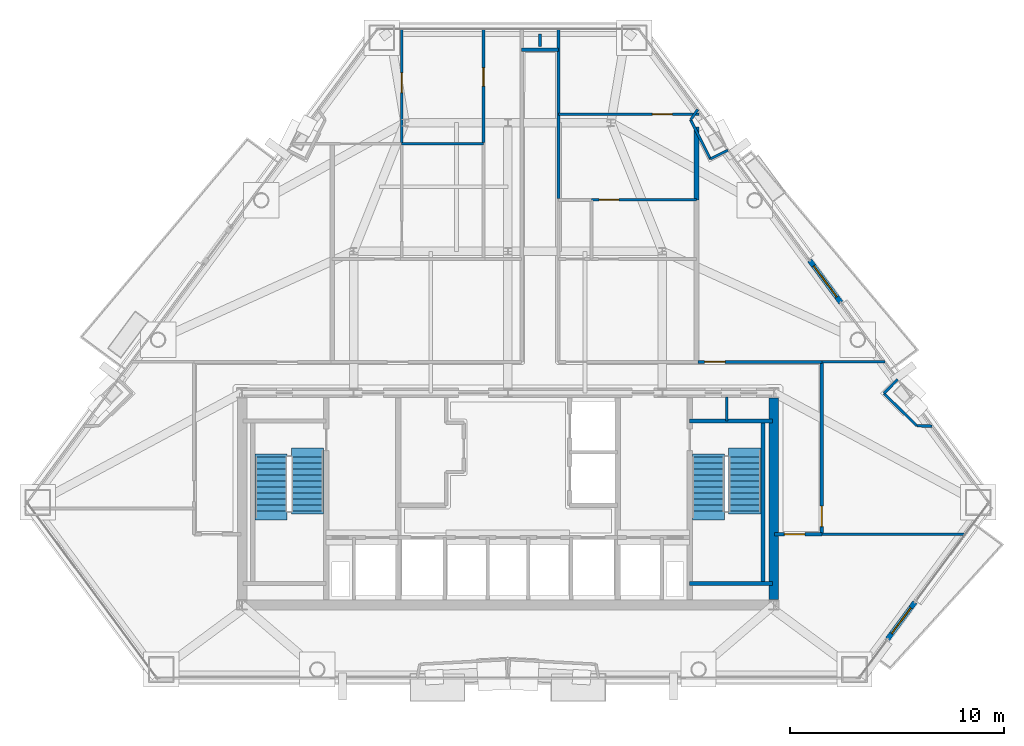
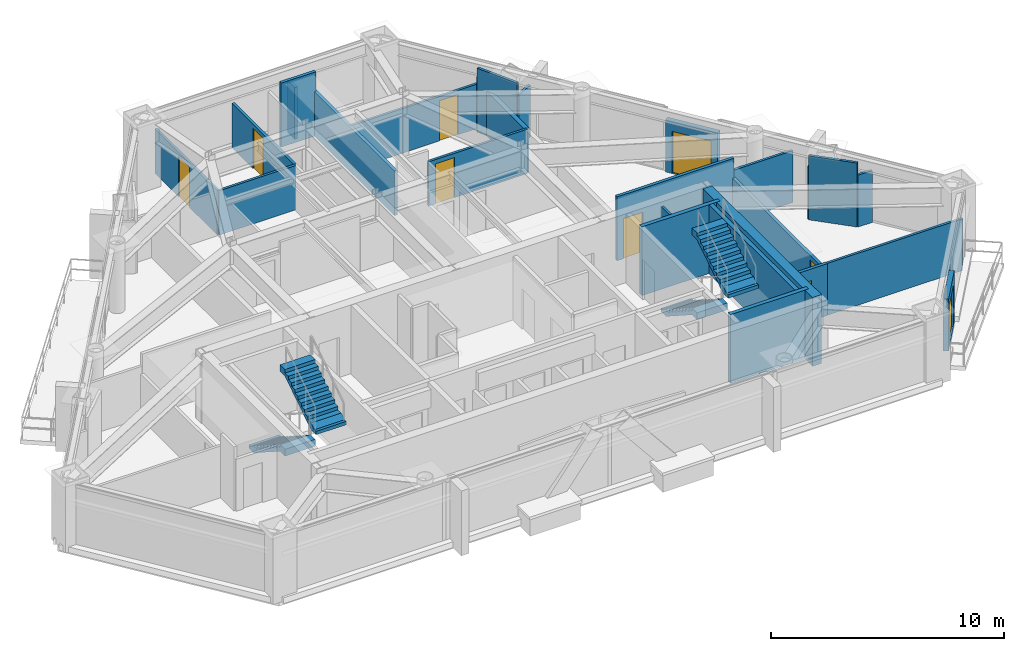
# One storey, part 9 of 11: 27 walls, 9 doors, 4 stair flights, 9 openings, 2 elements without a shape of their own.
"""IFC4 building model written with IfcOpenShell, lengths in metres."""

from ifc_helpers import new_model, si_unit, direction, frame, frame_2d, origin, place, context, subcontext, project, spatial, polyline, rectangle, outline, extrude, material, layer, layer_set, type_object, element, fill, aggregate, save


model = new_model("IFC4")

# Units and contexts
model_context = context("Model", 3, precision=1e-05, world=origin(), true_north=direction((0.0, 1.0)))
body_context = subcontext(model_context, "Body", "Model", "MODEL_VIEW")
ifc_project = project(units=[si_unit("LENGTHUNIT", "METRE"), si_unit("AREAUNIT", "SQUARE_METRE"), si_unit("VOLUMEUNIT", "CUBIC_METRE"), si_unit("PLANEANGLEUNIT", "RADIAN"), si_unit("MASSUNIT", "GRAM", prefix="KILO")], contexts=[model_context])

# Site, building, storey
site_placement = place(None, origin())
site = spatial("IfcSite", under=ifc_project, at=site_placement, CompositionType="ELEMENT")
building_placement = place(site_placement, origin())
building = spatial("IfcBuilding", under=site, at=building_placement, Name="Talgorran Terracotta Tower", CompositionType="ELEMENT")
storey_placement = place(building_placement, frame((0.0, 0.0, 110.39990234375)))
storey = spatial("IfcBuildingStorey", under=building, at=storey_placement, Name="L28", CompositionType="ELEMENT", Elevation=110.39990234375)

# Wall, opening, door
ifc_material_1 = material(Name="Concrete C40/50", Category="concrete")
ifc_layer_1 = layer(ifc_material_1, 0.239990234375, Name="WT_BALCONY_SPAND")
ifc_layer_set_1 = layer_set([ifc_layer_1], Name="Concrete C40/50")
wall_type_1 = type_object("IfcWallType", Name="WT_BALCONY_SPAND", PredefinedType="STANDARD", material=ifc_layer_set_1)
wall_1_placement = place(storey_placement, frame((15.52978515625, 0.010009765625, -0.014892578125), z_axis=(0.0, 0.0, 1.0), x_axis=(-0.594897308784, 0.803801711868, 0.0)))
wall_1 = element("IfcWall", 1, at=wall_1_placement, inside=storey, type_object=wall_type_1, Name="WL-L28-BALP-BAL-NE", PredefinedType="STANDARD", context=body_context, shape_type="SweptSolid", body=[
    extrude(rectangle(XDim=2.440185546875, YDim=0.239990234375, at=frame_2d((1.22021484375, 0.0))), origin(), (0.0, 0.0, 1.0), 2.728271484375),
])
opening_1_placement = place(wall_1_placement, frame((0.320068359375, 0.0, 0.014892578125)))
opening_1 = element("IfcOpeningElement", 2, at=opening_1_placement, cuts=wall_1, Name="Opening D-BAL-L28-1", PredefinedType="OPENING", context=body_context, shape_type="SweptSolid", body=[
    extrude(rectangle(XDim=1.806048828125, YDim=2.203951171875, at=frame_2d((0.89990234375, 1.10205078125))), frame((0.0, 0.1298828125, 0.0), z_axis=(0.0, -1.0, 0.0), x_axis=(1.0, 0.0, 0.0)), (0.0, 0.0, 1.0), 0.260009765625),
])
ifc_material_2 = material(Name="Thermally Broken Aluminium", Category="aluminium")
door_type_1 = type_object("IfcDoorType", Name="DT_BALC_1800", OperationType="SLIDING_TO_LEFT", PredefinedType="DOOR", material=ifc_material_2)
door_1_placement = place(opening_1_placement, origin())
door_1 = element("IfcDoor", 3, at=door_1_placement, inside=storey, type_object=door_type_1, Name="DR-L28-BAL-BAL-NE", OperationType="SLIDING_TO_LEFT", OverallHeight=2.199951171875, OverallWidth=1.800048828125, PredefinedType="DOOR", context=body_context, shape_type="SweptSolid", body=[
    extrude(rectangle(XDim=1.800048828125, YDim=2.199951171875, at=frame_2d((0.89990234375, 1.10009765625))), frame((0.0, 0.02490234375, 0.0), z_axis=(0.0, -1.0, 0.0), x_axis=(1.0, 0.0, 0.0)), (0.0, 0.0, 1.0), 0.050048828125),
])
fill(opening_1, door_1)

wall_2_placement = place(storey_placement, frame((17.712890625, -15.69140625, -0.014892578125), z_axis=(0.0, 0.0, 1.0), x_axis=(0.59491376708, 0.803789530747, 0.0)))
wall_2 = element("IfcWall", 4, at=wall_2_placement, inside=storey, type_object=wall_type_1, Name="WL-L28-BALP-BAL-SE", PredefinedType="STANDARD", context=body_context, shape_type="SweptSolid", body=[
    extrude(rectangle(XDim=2.14013671875, YDim=0.239990234375, at=frame_2d((1.070068359375, 0.0))), origin(), (0.0, 0.0, 1.0), 2.728271484375),
])
opening_2_placement = place(wall_2_placement, frame((0.320068359375, 0.0, 0.014892578125)))
opening_2 = element("IfcOpeningElement", 5, at=opening_2_placement, cuts=wall_2, Name="Opening D-BAL-L28-3", PredefinedType="OPENING", context=body_context, shape_type="SweptSolid", body=[
    extrude(rectangle(XDim=1.506, YDim=2.203951171875, at=frame_2d((0.75, 1.10205078125))), frame((0.0, 0.1298828125, 0.0), z_axis=(0.0, -1.0, 0.0), x_axis=(1.0, 0.0, 0.0)), (0.0, 0.0, 1.0), 0.260009765625),
])
door_type_2 = type_object("IfcDoorType", Name="DT_BALC_1500", OperationType="SLIDING_TO_RIGHT", PredefinedType="DOOR", material=ifc_material_2)
door_2_placement = place(opening_2_placement, origin())
door_2 = element("IfcDoor", 6, at=door_2_placement, inside=storey, type_object=door_type_2, Name="DR-L28-BAL-BAL-SE", OperationType="SLIDING_TO_RIGHT", OverallHeight=2.199951171875, OverallWidth=1.5, PredefinedType="DOOR", context=body_context, shape_type="SweptSolid", body=[
    extrude(rectangle(XDim=1.5, YDim=2.199951171875, at=frame_2d((0.75, 1.10009765625))), frame((0.0, 0.02490234375, 0.0), z_axis=(0.0, -1.0, 0.0), x_axis=(1.0, 0.0, 0.0)), (0.0, 0.0, 1.0), 0.050048828125),
])
fill(opening_2, door_2)

# Walls
ifc_material_3 = material(Name="Concrete C50/60", Category="concrete")
ifc_layer_2 = layer(ifc_material_3, 0.199951171875, Name="WT_CORE_200")
ifc_layer_set_2 = layer_set([ifc_layer_2], Name="Concrete C50/60")
wall_type_2 = type_object("IfcWallType", Name="WT_CORE_200", PredefinedType="SOLIDWALL", material=ifc_layer_set_2)
for number, where, z_axis, x_axis, name in (
    (7, (8.47998046875, -5.52001953125, 0.0), (0.0, 0.0, 1.0), (1.0, 0.0, 0.0), "WL-L28-CW-ST2-N"),
    (8, (8.47998046875, -13.10009765625, 0.0), (0.0, 0.0, 1.0), (1.0, 0.0, 0.0), "WL-L28-CW-ST2-S"),
):
    element("IfcWall", number, at=place(storey_placement, frame(where, z_axis=z_axis, x_axis=x_axis)), inside=storey, type_object=wall_type_2, Name=name, PredefinedType="SOLIDWALL", context=body_context, shape_type="SweptSolid", body=[
        extrude(rectangle(XDim=3.8701171875, YDim=0.199951171875, at=frame_2d((1.93505859375, 0.0))), origin(), (0.0, 0.0, 1.0), 3.60009765625),
    ])
wall_3_placement = place(storey_placement, frame((11.89990234375, -13.10009765625, 0.0), z_axis=(0.0, 0.0, 1.0), x_axis=(0.0, 1.0, 0.0)))
element("IfcWall", 9, at=wall_3_placement, inside=storey, type_object=wall_type_2, Name="WL-L28-CW-ST2-E", PredefinedType="SOLIDWALL", context=body_context, shape_type="SweptSolid", body=[
    extrude(rectangle(XDim=7.580078125, YDim=0.199951171875, at=frame_2d((3.7900390625, 0.0))), origin(), (0.0, 0.0, 1.0), 3.60009765625),
])
ifc_material_4 = material(Name="Concrete C65/80", Category="concrete")
ifc_layer_3 = layer(ifc_material_4, 0.449951171875, Name="WT_CORE_EXT")
ifc_layer_set_3 = layer_set([ifc_layer_3], Name="Concrete C65/80")
wall_type_3 = type_object("IfcWallType", Name="WT_CORE_EXT", PredefinedType="SHEAR", material=ifc_layer_set_3)
wall_4_placement = place(storey_placement, frame((12.39990234375, -13.85009765625, 0.0), z_axis=(0.0, 0.0, 1.0), x_axis=(0.0, 1.0, 0.0)))
element("IfcWall", 10, at=wall_4_placement, inside=storey, type_object=wall_type_3, Name="WL-L28-CW-OUT-E", PredefinedType="SHEAR", context=body_context, shape_type="SweptSolid", body=[
    extrude(rectangle(XDim=9.400146484375, YDim=0.449951171875, at=frame_2d((4.7001953125, 0.0))), origin(), (0.0, 0.0, 1.0), 3.60009765625),
])

# Wall, opening, door
ifc_material_5 = material(Name="Fire-Rated Steel Stud Plasterboard", Category="steel")
ifc_layer_4 = layer(ifc_material_5, 0.14990234375, Name="WT_FIRE_150")
ifc_layer_set_4 = layer_set([ifc_layer_4], Name="Fire-Rated Steel Stud Plasterboard")
wall_type_4 = type_object("IfcWallType", Name="WT_FIRE_150", PredefinedType="PARTITIONING", material=ifc_layer_set_4)
wall_5_placement = place(storey_placement, frame((14.639892578125, -10.800048828125, 0.0), z_axis=(0.0, 0.0, 1.0), x_axis=(0.0, 1.0, 0.0)))
wall_5 = element("IfcWall", 11, at=wall_5_placement, inside=storey, type_object=wall_type_4, Name="WL-L28-W-L28-R04", PredefinedType="PARTITIONING", context=body_context, shape_type="SweptSolid", body=[
    extrude(rectangle(XDim=8.0400390625, YDim=0.14990234375, at=frame_2d((4.02001953125, 0.0))), origin(), (0.0, 0.0, 1.0), 2.3251953125),
])
opening_3_placement = place(wall_5_placement, frame((0.35888671875, 0.0, 0.0)))
opening_3 = element("IfcOpeningElement", 12, at=opening_3_placement, cuts=wall_5, Name="Opening DR-L28-R03", PredefinedType="OPENING", context=body_context, shape_type="SweptSolid", body=[
    extrude(rectangle(XDim=0.955951171875, YDim=2.10409765625, at=frame_2d((0.47509765625, 1.052001953125))), frame((0.0, 0.0849609375, 0.0), z_axis=(0.0, -1.0, 0.0), x_axis=(1.0, 0.0, 0.0)), (0.0, 0.0, 1.0), 0.169921875),
])
ifc_material_6 = material(Name="Fire-Rated Timber Core", Category="wood")
door_type_3 = type_object("IfcDoorType", Name="DT_FIRE_950", OperationType="NOTDEFINED", PredefinedType="DOOR", material=ifc_material_6)
door_3_placement = place(opening_3_placement, origin())
door_3 = element("IfcDoor", 13, at=door_3_placement, inside=storey, type_object=door_type_3, Name="DR-L28-R03", OperationType="SINGLE_SWING_LEFT", OverallHeight=2.10009765625, OverallWidth=0.949951171875, PredefinedType="DOOR", context=body_context, shape_type="SweptSolid", body=[
    extrude(rectangle(XDim=0.949951171875, YDim=2.10009765625, at=frame_2d((0.47509765625, 1.050048828125))), frame((0.0, 0.02490234375, 0.0), z_axis=(0.0, -1.0, 0.0), x_axis=(1.0, 0.0, 0.0)), (0.0, 0.0, 1.0), 0.050048828125),
])
fill(opening_3, door_3)

wall_6_placement = place(storey_placement, frame((8.862060546875, -2.760009765625, 0.0), z_axis=(0.0, 0.0, 1.0), x_axis=(1.0, 0.0, 0.0)))
wall_6 = element("IfcWall", 14, at=wall_6_placement, inside=storey, type_object=wall_type_4, Name="WL-L28-W-L28-R17", PredefinedType="PARTITIONING", context=body_context, shape_type="SweptSolid", body=[
    extrude(rectangle(XDim=5.77783203125, YDim=0.14990234375, at=frame_2d((2.888916015625, 0.0))), origin(), (0.0, 0.0, 1.0), 3.35009765625),
])
opening_4_placement = place(wall_6_placement, frame((0.3173828125, 0.0, 0.0)))
opening_4 = element("IfcOpeningElement", 15, at=opening_4_placement, cuts=wall_6, Name="Opening DR-L28-R17", PredefinedType="OPENING", context=body_context, shape_type="SweptSolid", body=[
    extrude(rectangle(XDim=0.955951171875, YDim=2.10409765625, at=frame_2d((0.47509765625, 1.052001953125))), frame((0.0, 0.0849609375, 0.0), z_axis=(0.0, -1.0, 0.0), x_axis=(1.0, 0.0, 0.0)), (0.0, 0.0, 1.0), 0.169921875),
])
door_4_placement = place(opening_4_placement, origin())
door_4 = element("IfcDoor", 16, at=door_4_placement, inside=storey, type_object=door_type_3, Name="DR-L28-R17", OperationType="SINGLE_SWING_LEFT", OverallHeight=2.10009765625, OverallWidth=0.949951171875, PredefinedType="DOOR", context=body_context, shape_type="SweptSolid", body=[
    extrude(rectangle(XDim=0.949951171875, YDim=2.10009765625, at=frame_2d((0.47509765625, 1.050048828125))), frame((0.0, 0.02490234375, 0.0), z_axis=(0.0, -1.0, 0.0), x_axis=(1.0, 0.0, 0.0)), (0.0, 0.0, 1.0), 0.050048828125),
])
fill(opening_4, door_4)

# Wall
wall_7_placement = place(storey_placement, frame((2.360107421875, 4.862060546875, 0.0), z_axis=(0.0, 0.0, 1.0), x_axis=(0.0, 1.0, 0.0)))
element("IfcWall", 17, at=wall_7_placement, inside=storey, type_object=wall_type_4, Name="WL-L28-W-L28-R14", PredefinedType="PARTITIONING", context=body_context, shape_type="SweptSolid", body=[
    extrude(rectangle(XDim=7.900146484375, YDim=0.14990234375, at=frame_2d((3.9501953125, 0.0))), origin(), (0.0, 0.0, 1.0), 2.3251953125),
])

# Wall, opening, door
wall_8_placement = place(storey_placement, frame((12.43994140625, -10.800048828125, 0.0), z_axis=(0.0, 0.0, 1.0), x_axis=(1.0, 0.0, 0.0)))
wall_8 = element("IfcWall", 18, at=wall_8_placement, inside=storey, type_object=wall_type_4, Name="WL-L28-W-L28-R05", PredefinedType="PARTITIONING", context=body_context, shape_type="SweptSolid", body=[
    extrude(rectangle(XDim=2.199951171875, YDim=0.14990234375, at=frame_2d((1.10009765625, 0.0))), origin(), (0.0, 0.0, 1.0), 2.71337890625),
])
opening_5_placement = place(wall_8_placement, frame((0.458984375, 0.0, 0.0)))
opening_5 = element("IfcOpeningElement", 19, at=opening_5_placement, cuts=wall_8, Name="Opening DR-L28-R04", PredefinedType="OPENING", context=body_context, shape_type="SweptSolid", body=[
    extrude(rectangle(XDim=0.955951171875, YDim=2.10409765625, at=frame_2d((0.47509765625, 1.052001953125))), frame((0.0, 0.0849609375, 0.0), z_axis=(0.0, -1.0, 0.0), x_axis=(1.0, 0.0, 0.0)), (0.0, 0.0, 1.0), 0.169921875),
])
door_5_placement = place(opening_5_placement, origin())
door_5 = element("IfcDoor", 20, at=door_5_placement, inside=storey, type_object=door_type_3, Name="DR-L28-R04", OperationType="SINGLE_SWING_RIGHT", OverallHeight=2.10009765625, OverallWidth=0.949951171875, PredefinedType="DOOR", context=body_context, shape_type="SweptSolid", body=[
    extrude(rectangle(XDim=0.949951171875, YDim=2.10009765625, at=frame_2d((0.47509765625, 1.050048828125))), frame((0.0, 0.02490234375, 0.0), z_axis=(0.0, -1.0, 0.0), x_axis=(1.0, 0.0, 0.0)), (0.0, 0.0, 1.0), 0.050048828125),
])
fill(opening_5, door_5)

# Walls
wall_9_placement = place(storey_placement, frame((0.639892578125, 11.800048828125, 0.0), z_axis=(0.0, 0.0, 1.0), x_axis=(1.0, 0.0, 0.0)))
element("IfcWall", 21, at=wall_9_placement, inside=storey, type_object=wall_type_4, Name="WL-L28-W-L28-R10", PredefinedType="PARTITIONING", context=body_context, shape_type="SweptSolid", body=[
    extrude(rectangle(XDim=1.72021484375, YDim=0.14990234375, at=frame_2d((0.860107421875, 0.0))), origin(), (0.0, 0.0, 1.0), 3.35009765625),
])
ifc_material_7 = material(Name="Acoustic Masonry and Plasterboard", Category="masonry")
ifc_layer_5 = layer(ifc_material_7, 0.219970703125, Name="WT_PARTY_220")
ifc_layer_set_5 = layer_set([ifc_layer_5], Name="Acoustic Masonry and Plasterboard")
wall_type_5 = type_object("IfcWallType", Name="WT_PARTY_220", PredefinedType="PARTITIONING", material=ifc_layer_set_5)
wall_10_placement = place(storey_placement, frame((8.800048828125, 4.800048828125, 0.0), z_axis=(0.0, 0.0, 1.0), x_axis=(0.0, 1.0, 0.0)))
element("IfcWall", 22, at=wall_10_placement, inside=storey, type_object=wall_type_5, Name="WL-L28-W-L28-R41", PredefinedType="PARTITIONING", context=body_context, shape_type="SweptSolid", body=[
    extrude(rectangle(XDim=3.39990234375, YDim=0.219970703125, at=frame_2d((1.699951171875, 0.0))), origin(), (0.0, 0.0, 1.0), 2.3251953125),
])
ifc_material_8 = material(Name="Insulated Steel Stud Plasterboard", Category="steel")
ifc_layer_6 = layer(ifc_material_8, 0.1201171875, Name="WT_PART_120")
ifc_layer_set_6 = layer_set([ifc_layer_6], Name="Insulated Steel Stud Plasterboard")
wall_type_6 = type_object("IfcWallType", Name="WT_PART_120", PredefinedType="PARTITIONING", material=ifc_layer_set_6)
wall_11_placement = place(storey_placement, frame((10.199951171875, -5.52001953125, 0.0), z_axis=(0.0, 0.0, 1.0), x_axis=(0.0, 1.0, 0.0)))
element("IfcWall", 23, at=wall_11_placement, inside=storey, type_object=wall_type_6, Name="WL-L28-CW-CSE-DIV", PredefinedType="PARTITIONING", context=body_context, shape_type="SweptSolid", body=[
    extrude(rectangle(XDim=1.1201171875, YDim=0.1201171875, at=frame_2d((0.56005859375, 0.0))), origin(), (0.0, 0.0, 1.0), 3.35009765625),
])
wall_12_placement = place(storey_placement, frame((14.639892578125, -10.800048828125, 0.0), z_axis=(0.0, 0.0, 1.0), x_axis=(1.0, 0.0, 0.0)))
element("IfcWall", 24, at=wall_12_placement, inside=storey, type_object=wall_type_6, Name="WL-L28-W-L28-R20", PredefinedType="PARTITIONING", context=body_context, shape_type="SweptSolid", body=[
    extrude(rectangle(XDim=6.693359375, YDim=0.1201171875, at=frame_2d((3.3466796875, 0.0))), origin(), (0.0, 0.0, 1.0), 2.71337890625),
])

# Wall, opening, door
wall_13_placement = place(storey_placement, frame((2.360107421875, 8.800048828125, 0.0), z_axis=(0.0, 0.0, 1.0), x_axis=(1.0, 0.0, 0.0)))
wall_13 = element("IfcWall", 25, at=wall_13_placement, inside=storey, type_object=wall_type_6, Name="WL-L28-W-L28-R40", PredefinedType="PARTITIONING", context=body_context, shape_type="SweptSolid", body=[
    extrude(rectangle(XDim=6.559814453125, YDim=0.1201171875, at=frame_2d((3.27978515625, 0.0))), origin(), (0.0, 0.0, 1.0), 2.3251953125),
])
opening_6_placement = place(wall_13_placement, frame((4.383544921875, 0.0, 0.0)))
opening_6 = element("IfcOpeningElement", 26, at=opening_6_placement, cuts=wall_13, Name="Opening DR-L28-R16", PredefinedType="OPENING", context=body_context, shape_type="SweptSolid", body=[
    extrude(rectangle(XDim=0.925921875, YDim=2.10409765625, at=frame_2d((0.4599609375, 1.052001953125))), frame((0.0, 0.070068359375, 0.0), z_axis=(0.0, -1.0, 0.0), x_axis=(1.0, 0.0, 0.0)), (0.0, 0.0, 1.0), 0.14013671875),
])
ifc_material_9 = material(Name="Solid-Core Painted Timber", Category="wood")
door_type_4 = type_object("IfcDoorType", Name="DT_INT_920", OperationType="NOTDEFINED", PredefinedType="DOOR", material=ifc_material_9)
door_6_placement = place(opening_6_placement, origin())
door_6 = element("IfcDoor", 27, at=door_6_placement, inside=storey, type_object=door_type_4, Name="DR-L28-R16", OperationType="SINGLE_SWING_RIGHT", OverallHeight=2.10009765625, OverallWidth=0.919921875, PredefinedType="DOOR", context=body_context, shape_type="SweptSolid", body=[
    extrude(rectangle(XDim=0.919921875, YDim=2.10009765625, at=frame_2d((0.4599609375, 1.050048828125))), frame((0.0, 0.02490234375, 0.0), z_axis=(0.0, -1.0, 0.0), x_axis=(1.0, 0.0, 0.0)), (0.0, 0.0, 1.0), 0.050048828125),
])
fill(opening_6, door_6)

wall_14_placement = place(storey_placement, frame((-4.9599609375, 7.419921875, 0.0), z_axis=(0.0, 0.0, 1.0), x_axis=(0.0, 1.0, 0.0)))
wall_14 = element("IfcWall", 28, at=wall_14_placement, inside=storey, type_object=wall_type_6, Name="WL-L28-W-L28-R32", PredefinedType="PARTITIONING", context=body_context, shape_type="SweptSolid", body=[
    extrude(rectangle(XDim=5.34228515625, YDim=0.1201171875, at=frame_2d((2.671142578125, 0.0))), origin(), (0.0, 0.0, 1.0), 2.3251953125),
])
opening_7_placement = place(wall_14_placement, frame((2.379638671875, 0.0, 0.0)))
opening_7 = element("IfcOpeningElement", 29, at=opening_7_placement, cuts=wall_14, Name="Opening DR-L28-R11", PredefinedType="OPENING", context=body_context, shape_type="SweptSolid", body=[
    extrude(rectangle(XDim=0.925921875, YDim=2.10409765625, at=frame_2d((0.4599609375, 1.052001953125))), frame((0.0, 0.070068359375, 0.0), z_axis=(0.0, -1.0, 0.0), x_axis=(1.0, 0.0, 0.0)), (0.0, 0.0, 1.0), 0.14013671875),
])
door_7_placement = place(opening_7_placement, origin())
door_7 = element("IfcDoor", 30, at=door_7_placement, inside=storey, type_object=door_type_4, Name="DR-L28-R11", OperationType="SINGLE_SWING_LEFT", OverallHeight=2.10009765625, OverallWidth=0.919921875, PredefinedType="DOOR", context=body_context, shape_type="SweptSolid", body=[
    extrude(rectangle(XDim=0.919921875, YDim=2.10009765625, at=frame_2d((0.4599609375, 1.050048828125))), frame((0.0, 0.02490234375, 0.0), z_axis=(0.0, -1.0, 0.0), x_axis=(1.0, 0.0, 0.0)), (0.0, 0.0, 1.0), 0.050048828125),
])
fill(opening_7, door_7)

wall_15_placement = place(storey_placement, frame((3.89990234375, 4.800048828125, 0.0), z_axis=(0.0, 0.0, 1.0), x_axis=(1.0, 0.0, 0.0)))
wall_15 = element("IfcWall", 31, at=wall_15_placement, inside=storey, type_object=wall_type_6, Name="WL-L28-W-L28-R38", PredefinedType="PARTITIONING", context=body_context, shape_type="SweptSolid", body=[
    extrude(rectangle(XDim=4.900146484375, YDim=0.1201171875, at=frame_2d((2.4501953125, 0.0))), origin(), (0.0, 0.0, 1.0), 2.3251953125),
])
opening_8_placement = place(wall_15_placement, frame((0.358642578125, 0.0, 0.0)))
opening_8 = element("IfcOpeningElement", 32, at=opening_8_placement, cuts=wall_15, Name="Opening DR-L28-R15", PredefinedType="OPENING", context=body_context, shape_type="SweptSolid", body=[
    extrude(rectangle(XDim=0.925921875, YDim=2.10409765625, at=frame_2d((0.4599609375, 1.052001953125))), frame((0.0, 0.070068359375, 0.0), z_axis=(0.0, -1.0, 0.0), x_axis=(1.0, 0.0, 0.0)), (0.0, 0.0, 1.0), 0.14013671875),
])
door_8_placement = place(opening_8_placement, origin())
door_8 = element("IfcDoor", 33, at=door_8_placement, inside=storey, type_object=door_type_4, Name="DR-L28-R15", OperationType="SINGLE_SWING_LEFT", OverallHeight=2.10009765625, OverallWidth=0.919921875, PredefinedType="DOOR", context=body_context, shape_type="SweptSolid", body=[
    extrude(rectangle(XDim=0.919921875, YDim=2.10009765625, at=frame_2d((0.4599609375, 1.050048828125))), frame((0.0, 0.02490234375, 0.0), z_axis=(0.0, -1.0, 0.0), x_axis=(1.0, 0.0, 0.0)), (0.0, 0.0, 1.0), 0.050048828125),
])
fill(opening_8, door_8)

# Walls
wall_16_placement = place(storey_placement, frame((-4.9599609375, 7.419921875, 0.0), z_axis=(0.0, 0.0, 1.0), x_axis=(1.0, 0.0, 0.0)))
element("IfcWall", 34, at=wall_16_placement, inside=storey, type_object=wall_type_6, Name="WL-L28-W-L28-R31", PredefinedType="PARTITIONING", context=body_context, shape_type="SweptSolid", body=[
    extrude(rectangle(XDim=3.820068359375, YDim=0.1201171875, at=frame_2d((1.91015625, 0.0))), origin(), (0.0, 0.0, 1.0), 2.3251953125),
])
wall_17_placement = place(storey_placement, frame((14.639892578125, -2.760009765625, 0.0), z_axis=(0.0, 0.0, 1.0), x_axis=(1.0, 0.0, 0.0)))
element("IfcWall", 35, at=wall_17_placement, inside=storey, type_object=wall_type_6, Name="WL-L28-W-L28-R21", PredefinedType="PARTITIONING", context=body_context, shape_type="SweptSolid", body=[
    extrude(rectangle(XDim=2.93994140625, YDim=0.1201171875, at=frame_2d((1.469970703125, 0.0))), origin(), (0.0, 0.0, 1.0), 2.71337890625),
])
wall_18_placement = place(storey_placement, frame((9.442138671875, 6.70361328125, 0.0), z_axis=(0.0, 0.0, 1.0), x_axis=(-0.44873934971, 0.893662685817, 0.0)))
element("IfcWall", 36, at=wall_18_placement, inside=storey, type_object=wall_type_6, Name="WL-L28-BW-L28-18", PredefinedType="PARTITIONING", context=body_context, shape_type="SweptSolid", body=[
    extrude(rectangle(XDim=2.04736328125, YDim=0.1201171875, at=frame_2d((1.023681640625, 0.0))), origin(), (0.0, 0.0, 1.0), 3.35009765625),
])
wall_19_placement = place(storey_placement, frame((19.0771484375, -5.7470703125, 0.0), z_axis=(0.0, 0.0, 1.0), x_axis=(-0.711889877925, 0.702291108949, 0.0)))
element("IfcWall", 37, at=wall_19_placement, inside=storey, type_object=wall_type_6, Name="WL-L28-BW-L28-13", PredefinedType="PARTITIONING", context=body_context, shape_type="SweptSolid", body=[
    extrude(rectangle(XDim=2.161865234375, YDim=0.1201171875, at=frame_2d((1.0810546875, 0.0))), origin(), (0.0, 0.0, 1.0), 3.35009765625),
])
wall_20_placement = place(storey_placement, frame((10.259521484375, 7.114013671875, 0.0), z_axis=(0.0, 0.0, 1.0), x_axis=(-0.893678540504, -0.448707773771, 0.0)))
element("IfcWall", 38, at=wall_20_placement, inside=storey, type_object=wall_type_6, Name="WL-L28-BW-L28-17", PredefinedType="PARTITIONING", context=body_context, shape_type="SweptSolid", body=[
    extrude(rectangle(XDim=0.91455078125, YDim=0.1201171875, at=frame_2d((0.457275390625, 0.0))), origin(), (0.0, 0.0, 1.0), 2.71337890625),
])
wall_21_placement = place(storey_placement, frame((17.5380859375, -4.228759765625, 0.0), z_axis=(0.0, 0.0, 1.0), x_axis=(0.702387049148, 0.711795218577, 0.0)))
element("IfcWall", 39, at=wall_21_placement, inside=storey, type_object=wall_type_6, Name="WL-L28-BW-L28-11", PredefinedType="PARTITIONING", context=body_context, shape_type="SweptSolid", body=[
    extrude(rectangle(XDim=0.908203125, YDim=0.1201171875, at=frame_2d((0.4541015625, 0.0))), origin(), (0.0, 0.0, 1.0), 2.71337890625),
])
wall_22_placement = place(storey_placement, frame((19.78271484375, -5.7529296875, 0.0), z_axis=(0.0, 0.0, 1.0), x_axis=(-0.999965519438, 0.008304211926, 0.0)))
element("IfcWall", 40, at=wall_22_placement, inside=storey, type_object=wall_type_6, Name="WL-L28-BW-L28-12", PredefinedType="PARTITIONING", context=body_context, shape_type="SweptSolid", body=[
    extrude(rectangle(XDim=0.70556640625, YDim=0.1201171875, at=frame_2d((0.352783203125, 0.0))), origin(), (0.0, 0.0, 1.0), 2.71337890625),
])
wall_23_placement = place(storey_placement, frame((8.5234375, 8.533203125, 0.0), z_axis=(0.0, 0.0, 1.0), x_axis=(0.569035523294, 0.822312941179, 0.0)))
element("IfcWall", 41, at=wall_23_placement, inside=storey, type_object=wall_type_6, Name="WL-L28-BW-L28-19", PredefinedType="PARTITIONING", context=body_context, shape_type="SweptSolid", body=[
    extrude(rectangle(XDim=0.582275390625, YDim=0.1201171875, at=frame_2d((0.291015625, 0.0))), origin(), (0.0, 0.0, 1.0), 2.71337890625),
])

# Wall, opening, door
ifc_material_10 = material(Name="Moisture-Resistant Stud Wall")
ifc_layer_7 = layer(ifc_material_10, 0.135009765625, Name="WT_PART_135")
ifc_layer_set_7 = layer_set([ifc_layer_7], Name="Moisture-Resistant Stud Wall")
wall_type_7 = type_object("IfcWallType", Name="WT_PART_135", PredefinedType="PARTITIONING", material=ifc_layer_set_7)
wall_24_placement = place(storey_placement, frame((-1.139892578125, 7.48193359375, 0.0), z_axis=(0.0, 0.0, 1.0), x_axis=(0.0, 1.0, 0.0)))
wall_24 = element("IfcWall", 42, at=wall_24_placement, inside=storey, type_object=wall_type_7, Name="WL-L28-W-L28-R28", PredefinedType="PARTITIONING", context=body_context, shape_type="SweptSolid", body=[
    extrude(rectangle(XDim=5.2802734375, YDim=0.135009765625, at=frame_2d((2.64013671875, 0.0))), origin(), (0.0, 0.0, 1.0), 2.3251953125),
])
opening_9_placement = place(wall_24_placement, frame((2.62109375, 0.0, 0.0)))
opening_9 = element("IfcOpeningElement", 43, at=opening_9_placement, cuts=wall_24, Name="Opening DR-L28-R07", PredefinedType="OPENING", context=body_context, shape_type="SweptSolid", body=[
    extrude(rectangle(XDim=0.85609765625, YDim=2.10409765625, at=frame_2d((0.425048828125, 1.052001953125))), frame((0.0, 0.07763671875, 0.0), z_axis=(0.0, -1.0, 0.0), x_axis=(1.0, 0.0, 0.0)), (0.0, 0.0, 1.0), 0.155029296875),
])
ifc_material_11 = material(Name="Moisture-Resistant Solid Timber", Category="wood")
door_type_5 = type_object("IfcDoorType", Name="DT_INT_850", OperationType="NOTDEFINED", PredefinedType="DOOR", material=ifc_material_11)
door_9_placement = place(opening_9_placement, origin())
door_9 = element("IfcDoor", 44, at=door_9_placement, inside=storey, type_object=door_type_5, Name="DR-L28-R07", OperationType="SINGLE_SWING_LEFT", OverallHeight=2.10009765625, OverallWidth=0.85009765625, PredefinedType="DOOR", context=body_context, shape_type="SweptSolid", body=[
    extrude(rectangle(XDim=0.85009765625, YDim=2.10009765625, at=frame_2d((0.425048828125, 1.050048828125))), frame((0.0, 0.02490234375, 0.0), z_axis=(0.0, -1.0, 0.0), x_axis=(1.0, 0.0, 0.0)), (0.0, 0.0, 1.0), 0.050048828125),
])
fill(opening_9, door_9)

# Wall
wall_25_placement = place(storey_placement, frame((1.5, 12.542236328125, 0.0), z_axis=(0.0, 0.0, 1.0), x_axis=(0.0, -1.0, 0.0)))
element("IfcWall", 45, at=wall_25_placement, inside=storey, type_object=wall_type_7, Name="WL-L28-W-L28-R42", PredefinedType="PARTITIONING", context=body_context, shape_type="SweptSolid", body=[
    extrude(rectangle(XDim=0.602294921875, YDim=0.135009765625, at=frame_2d((0.30126953125, 0.0))), origin(), (0.0, 0.0, 1.0), 2.71337890625),
])

# Stair, stair flights
stair_type = type_object("IfcStairType", Name="ST_FIRE_SCISSOR", PredefinedType="HALF_TURN_STAIR", material=ifc_material_1)
stair_1_placement = place(storey_placement, origin())
stair_1 = element("IfcStair", 46, at=stair_1_placement, inside=storey, type_object=stair_type, Name="L28 West Protected Fire Stair ST-01", PredefinedType="HALF_TURN_STAIR")
ifc_layer_8 = layer(ifc_material_1, 0.179931640625, Name="STF_RC_1500")
ifc_layer_set_8 = layer_set([ifc_layer_8], Name="Concrete C40/50")
stair_flight_type = type_object("IfcStairFlightType", Name="STF_RC_1500", PredefinedType="STRAIGHT", material=ifc_layer_set_8)
stair_flight_1_placement = place(storey_placement, frame((-11.050048828125, -7.199951171875, 0.0), z_axis=(0.0, 0.0, 1.0), x_axis=(0.0, -1.0, 0.0)))
stair_flight_1 = element("IfcStairFlight", 47, at=stair_flight_1_placement, type_object=stair_flight_type, Name="ST-01 flight 1", NumberOfRisers=10, NumberOfTreads=9, PredefinedType="STRAIGHT", RiserHeight=0.18, TreadLength=0.28, context=body_context, shape_type="SweptSolid", body=[
    extrude(outline(polyline([(-0.139892578125, 0.0), (-0.139892578125, 0.179931640625), (0.0, 0.179931640625), (0.280029296875, 0.360107421875), (0.56005859375, 0.360107421875), (0.56005859375, 0.5400390625), (0.840087890625, 0.5400390625), (0.840087890625, 0.719970703125), (1.1201171875, 0.719970703125), (1.1201171875, 0.89990234375), (1.39990234375, 0.89990234375), (1.39990234375, 1.080078125), (1.679931640625, 1.080078125), (1.679931640625, 1.260009765625), (1.9599609375, 1.260009765625), (1.9599609375, 1.43994140625), (2.239990234375, 1.43994140625), (2.239990234375, 1.6201171875), (2.52001953125, 1.6201171875), (2.52001953125, 1.800048828125), (2.93994140625, 1.800048828125), (2.93994140625, 1.44189453125), (2.52001953125, 1.44189453125), (0.277099609375, 0.0), (-0.139892578125, 0.0)])), frame((0.0, 0.75, 0.0), z_axis=(0.0, -1.0, 0.0), x_axis=(1.0, 0.0, 0.0)), (0.0, 0.0, 1.0), 1.5),
])
stair_flight_2_placement = place(storey_placement, frame((-9.35009765625, -9.719970703125, 1.800048828125), z_axis=(0.0, 0.0, 1.0), x_axis=(0.0, 1.0, 0.0)))
stair_flight_2 = element("IfcStairFlight", 48, at=stair_flight_2_placement, type_object=stair_flight_type, Name="ST-01 flight 2", NumberOfRisers=10, NumberOfTreads=9, PredefinedType="STRAIGHT", RiserHeight=0.18, TreadLength=0.28, context=body_context, shape_type="SweptSolid", body=[
    extrude(outline(polyline([(-0.139892578125, 0.0), (-0.139892578125, 0.179931640625), (0.0, 0.179931640625), (0.280029296875, 0.360107421875), (0.56005859375, 0.360107421875), (0.56005859375, 0.5400390625), (0.840087890625, 0.5400390625), (0.840087890625, 0.719970703125), (1.1201171875, 0.719970703125), (1.1201171875, 0.89990234375), (1.39990234375, 0.89990234375), (1.39990234375, 1.080078125), (1.679931640625, 1.080078125), (1.679931640625, 1.260009765625), (1.9599609375, 1.260009765625), (1.9599609375, 1.43994140625), (2.239990234375, 1.43994140625), (2.239990234375, 1.6201171875), (2.52001953125, 1.6201171875), (2.52001953125, 1.800048828125), (2.93994140625, 1.800048828125), (2.93994140625, 1.44189453125), (2.52001953125, 1.44189453125), (0.277099609375, 0.0), (-0.139892578125, 0.0)])), frame((0.0, 0.75, 0.0), z_axis=(0.0, -1.0, 0.0), x_axis=(1.0, 0.0, 0.0)), (0.0, 0.0, 1.0), 1.5),
])
aggregate(stair_1, [stair_flight_1, stair_flight_2])

stair_2_placement = place(storey_placement, origin())
stair_2 = element("IfcStair", 49, at=stair_2_placement, inside=storey, type_object=stair_type, Name="L28 East Protected Fire Stair ST-02", PredefinedType="HALF_TURN_STAIR")
stair_flight_3_placement = place(storey_placement, frame((9.35009765625, -7.199951171875, 0.0), z_axis=(0.0, 0.0, 1.0), x_axis=(0.0, -1.0, 0.0)))
stair_flight_3 = element("IfcStairFlight", 50, at=stair_flight_3_placement, type_object=stair_flight_type, Name="ST-02 flight 1", NumberOfRisers=10, NumberOfTreads=9, PredefinedType="STRAIGHT", RiserHeight=0.18, TreadLength=0.28, context=body_context, shape_type="SweptSolid", body=[
    extrude(outline(polyline([(-0.139892578125, 0.0), (-0.139892578125, 0.179931640625), (0.0, 0.179931640625), (0.280029296875, 0.360107421875), (0.56005859375, 0.360107421875), (0.56005859375, 0.5400390625), (0.840087890625, 0.5400390625), (0.840087890625, 0.719970703125), (1.1201171875, 0.719970703125), (1.1201171875, 0.89990234375), (1.39990234375, 0.89990234375), (1.39990234375, 1.080078125), (1.679931640625, 1.080078125), (1.679931640625, 1.260009765625), (1.9599609375, 1.260009765625), (1.9599609375, 1.43994140625), (2.239990234375, 1.43994140625), (2.239990234375, 1.6201171875), (2.52001953125, 1.6201171875), (2.52001953125, 1.800048828125), (2.93994140625, 1.800048828125), (2.93994140625, 1.44189453125), (2.52001953125, 1.44189453125), (0.277099609375, 0.0), (-0.139892578125, 0.0)])), frame((0.0, 0.75, 0.0), z_axis=(0.0, -1.0, 0.0), x_axis=(1.0, 0.0, 0.0)), (0.0, 0.0, 1.0), 1.5),
])
stair_flight_4_placement = place(storey_placement, frame((11.050048828125, -9.719970703125, 1.800048828125), z_axis=(0.0, 0.0, 1.0), x_axis=(0.0, 1.0, 0.0)))
stair_flight_4 = element("IfcStairFlight", 51, at=stair_flight_4_placement, type_object=stair_flight_type, Name="ST-02 flight 2", NumberOfRisers=10, NumberOfTreads=9, PredefinedType="STRAIGHT", RiserHeight=0.18, TreadLength=0.28, context=body_context, shape_type="SweptSolid", body=[
    extrude(outline(polyline([(-0.139892578125, 0.0), (-0.139892578125, 0.179931640625), (0.0, 0.179931640625), (0.280029296875, 0.360107421875), (0.56005859375, 0.360107421875), (0.56005859375, 0.5400390625), (0.840087890625, 0.5400390625), (0.840087890625, 0.719970703125), (1.1201171875, 0.719970703125), (1.1201171875, 0.89990234375), (1.39990234375, 0.89990234375), (1.39990234375, 1.080078125), (1.679931640625, 1.080078125), (1.679931640625, 1.260009765625), (1.9599609375, 1.260009765625), (1.9599609375, 1.43994140625), (2.239990234375, 1.43994140625), (2.239990234375, 1.6201171875), (2.52001953125, 1.6201171875), (2.52001953125, 1.800048828125), (2.93994140625, 1.800048828125), (2.93994140625, 1.44189453125), (2.52001953125, 1.44189453125), (0.277099609375, 0.0), (-0.139892578125, 0.0)])), frame((0.0, 0.75, 0.0), z_axis=(0.0, -1.0, 0.0), x_axis=(1.0, 0.0, 0.0)), (0.0, 0.0, 1.0), 1.5),
])
aggregate(stair_2, [stair_flight_3, stair_flight_4])

save(model, "model.ifc")
